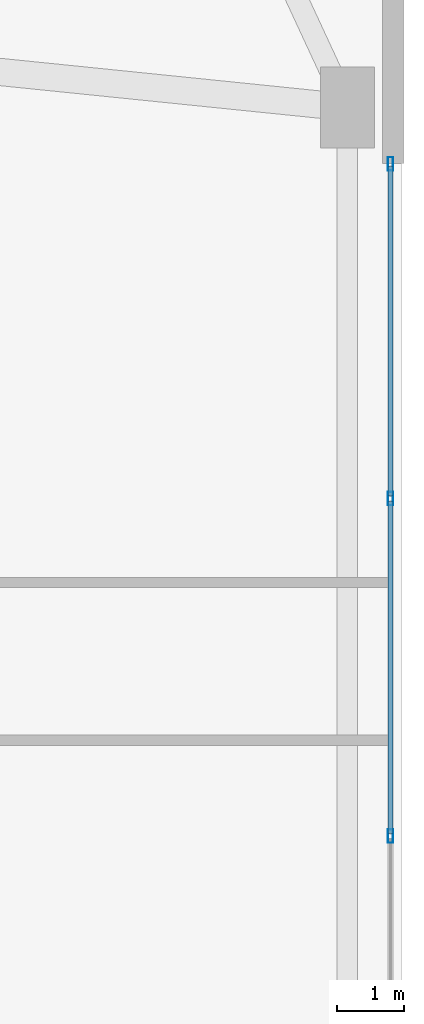
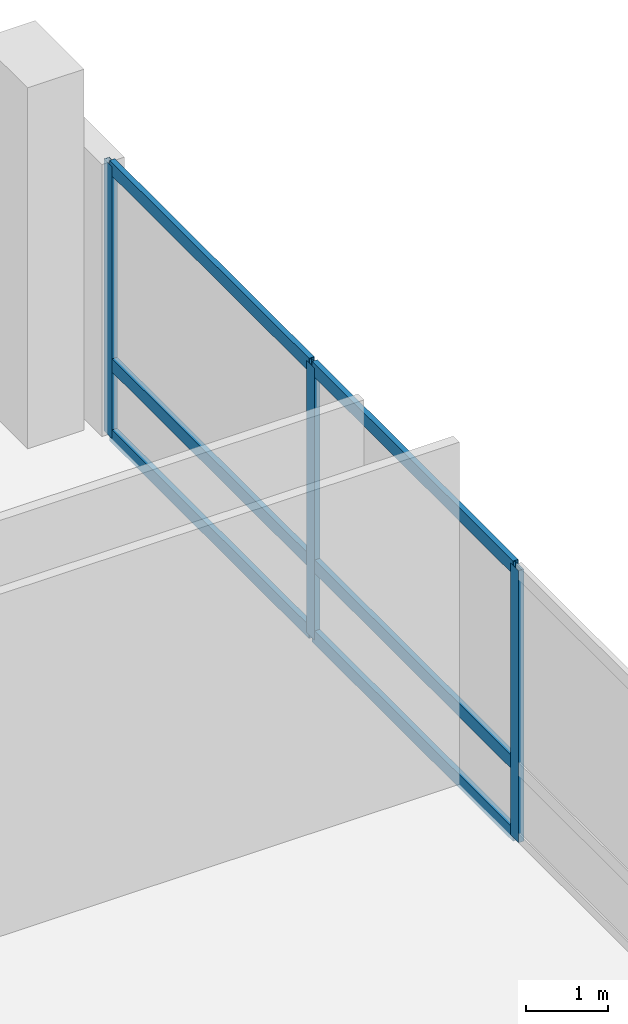
# One storey, part 21 of 36: 9 members, 1 element without a shape of its own.
"""IFC4 building model written with IfcOpenShell, lengths in metres."""

from ifc_helpers import new_model, si_unit, direction, frame, origin, origin_2d, place, context, subcontext, project, spatial, hollow_rectangle, extrude, material, layer, layer_set, material_profile, profile_set, type_object, element, aggregate, save


model = new_model("IFC4")

# Units and contexts
model_context = context("Model", 3, precision=1e-05, world=origin(), true_north=direction((0.0, 1.0)))
body_context = subcontext(model_context, "Body", "Model", "MODEL_VIEW")
ifc_project = project(units=[si_unit("LENGTHUNIT", "METRE"), si_unit("AREAUNIT", "SQUARE_METRE"), si_unit("VOLUMEUNIT", "CUBIC_METRE"), si_unit("PLANEANGLEUNIT", "RADIAN"), si_unit("MASSUNIT", "GRAM", prefix="KILO")], contexts=[model_context])

# Site, building, storey
site_placement = place(None, origin())
site = spatial("IfcSite", under=ifc_project, at=site_placement, CompositionType="ELEMENT")
building_placement = place(site_placement, origin())
building = spatial("IfcBuilding", under=site, at=building_placement, Name="Varnelok Gate Tower", CompositionType="ELEMENT")
storey_placement = place(building_placement, frame((0.0, 0.0, 10.800048828125)))
storey = spatial("IfcBuildingStorey", under=building, at=storey_placement, Name="L02", CompositionType="ELEMENT", Elevation=10.800048828125)

# Curtain wall, members
ifc_material = material(Name="Anodized Aluminum Alloy 6063-T6", Category="aluminium")
ifc_layer = layer(ifc_material, 0.179931640625)
ifc_layer_set = layer_set([ifc_layer], Name="Anodized Aluminum Alloy 6063-T6")
curtain_wall_type = type_object("IfcCurtainWallType", Name="CW1-ARCH-PORTAL", PredefinedType="USERDEFINED", material=ifc_layer_set)
curtain_wall_placement = place(storey_placement, origin())
curtain_wall = element("IfcCurtainWall", 1, at=curtain_wall_placement, inside=storey, type_object=curtain_wall_type, Name="L02 Podium Portal Curtain Wall E", ObjectType="UNITISED CURTAIN WALL", PredefinedType="USERDEFINED")
ifc_material_profile_1 = material_profile(ifc_material, hollow_rectangle(XDim=0.074951171875, YDim=0.199951171875, WallThickness=0.00390625, at=origin_2d()), Name="ALU200X75X4")
ifc_profile_set_1 = profile_set([ifc_material_profile_1], Name="Anodized Aluminum Alloy 6063-T6")
member_type_1 = type_object("IfcMemberType", Name="CW-MULL-200", PredefinedType="MULLION", material=ifc_profile_set_1)
member_1_placement = place(storey_placement, frame((78.239990234375, 35.16259765625, 0.0), z_axis=(0.0, 0.0, 1.0), x_axis=(1.0, 0.0, 0.0)))
member_1 = element("IfcMember", 2, at=member_1_placement, type_object=member_type_1, Name="CW1 mullion 1", PredefinedType="MULLION", context=body_context, shape_type="SweptSolid", body=[
    extrude(hollow_rectangle(XDim=0.074951171875, YDim=0.199951171875, WallThickness=0.00390625, at=origin_2d()), origin(), (0.0, 0.0, 1.0), 4.070068359375),
])
member_2_placement = place(storey_placement, frame((78.239990234375, 30.199951171875, 0.0), z_axis=(0.0, 0.0, 1.0), x_axis=(1.0, 0.0, 0.0)))
member_2 = element("IfcMember", 3, at=member_2_placement, type_object=member_type_1, Name="CW1 mullion 2", PredefinedType="MULLION", context=body_context, shape_type="SweptSolid", body=[
    extrude(hollow_rectangle(XDim=0.074951171875, YDim=0.199951171875, WallThickness=0.00390625, at=origin_2d()), origin(), (0.0, 0.0, 1.0), 4.070068359375),
])
member_3_placement = place(storey_placement, frame((78.239990234375, 25.199951171875, 0.0), z_axis=(0.0, 0.0, 1.0), x_axis=(1.0, 0.0, 0.0)))
member_3 = element("IfcMember", 4, at=member_3_placement, type_object=member_type_1, Name="CW1 mullion 3", PredefinedType="MULLION", context=body_context, shape_type="SweptSolid", body=[
    extrude(hollow_rectangle(XDim=0.074951171875, YDim=0.199951171875, WallThickness=0.00390625, at=origin_2d()), origin(), (0.0, 0.0, 1.0), 4.070068359375),
])
ifc_material_profile_2 = material_profile(ifc_material, hollow_rectangle(XDim=0.074951171875, YDim=0.199951171875, WallThickness=0.00390625, at=origin_2d()), Name="ALU200X75X4")
ifc_profile_set_2 = profile_set([ifc_material_profile_2], Name="Anodized Aluminum Alloy 6063-T6")
member_type_2 = type_object("IfcMemberType", Name="CW-TRAN-200", PredefinedType="USERDEFINED", material=ifc_profile_set_2)
member_4_placement = place(storey_placement, frame((78.239990234375, 35.125, 0.037353515625), z_axis=(0.0, -1.0, 0.0), x_axis=(1.0, 0.0, 0.0)))
member_4 = element("IfcMember", 5, at=member_4_placement, type_object=member_type_2, Name="CW1 transom 1.1", ObjectType="TRANSOM", PredefinedType="USERDEFINED", context=body_context, shape_type="SweptSolid", body=[
    extrude(hollow_rectangle(XDim=0.074951171875, YDim=0.199951171875, WallThickness=0.00390625, at=origin_2d()), origin(), (0.0, 0.0, 1.0), 4.887451171875),
])
member_5_placement = place(storey_placement, frame((78.239990234375, 35.125, 1.099853515625), z_axis=(0.0, -1.0, 0.0), x_axis=(1.0, 0.0, 0.0)))
member_5 = element("IfcMember", 6, at=member_5_placement, type_object=member_type_2, Name="CW1 transom 1.2", ObjectType="TRANSOM", PredefinedType="USERDEFINED", context=body_context, shape_type="SweptSolid", body=[
    extrude(hollow_rectangle(XDim=0.074951171875, YDim=0.199951171875, WallThickness=0.00390625, at=origin_2d()), origin(), (0.0, 0.0, 1.0), 4.887451171875),
])
member_6_placement = place(storey_placement, frame((78.239990234375, 35.125, 4.032470703125), z_axis=(0.0, -1.0, 0.0), x_axis=(1.0, 0.0, 0.0)))
member_6 = element("IfcMember", 7, at=member_6_placement, type_object=member_type_2, Name="CW1 transom 1.3", ObjectType="TRANSOM", PredefinedType="USERDEFINED", context=body_context, shape_type="SweptSolid", body=[
    extrude(hollow_rectangle(XDim=0.074951171875, YDim=0.199951171875, WallThickness=0.00390625, at=origin_2d()), origin(), (0.0, 0.0, 1.0), 4.887451171875),
])
member_7_placement = place(storey_placement, frame((78.239990234375, 30.16259765625, 0.037353515625), z_axis=(0.0, -1.0, 0.0), x_axis=(1.0, 0.0, 0.0)))
member_7 = element("IfcMember", 8, at=member_7_placement, type_object=member_type_2, Name="CW1 transom 2.1", ObjectType="TRANSOM", PredefinedType="USERDEFINED", context=body_context, shape_type="SweptSolid", body=[
    extrude(hollow_rectangle(XDim=0.074951171875, YDim=0.199951171875, WallThickness=0.00390625, at=origin_2d()), origin(), (0.0, 0.0, 1.0), 4.925048828125),
])
member_8_placement = place(storey_placement, frame((78.239990234375, 30.16259765625, 1.099853515625), z_axis=(0.0, -1.0, 0.0), x_axis=(1.0, 0.0, 0.0)))
member_8 = element("IfcMember", 9, at=member_8_placement, type_object=member_type_2, Name="CW1 transom 2.2", ObjectType="TRANSOM", PredefinedType="USERDEFINED", context=body_context, shape_type="SweptSolid", body=[
    extrude(hollow_rectangle(XDim=0.074951171875, YDim=0.199951171875, WallThickness=0.00390625, at=origin_2d()), origin(), (0.0, 0.0, 1.0), 4.925048828125),
])
member_9_placement = place(storey_placement, frame((78.239990234375, 30.16259765625, 4.032470703125), z_axis=(0.0, -1.0, 0.0), x_axis=(1.0, 0.0, 0.0)))
member_9 = element("IfcMember", 10, at=member_9_placement, type_object=member_type_2, Name="CW1 transom 2.3", ObjectType="TRANSOM", PredefinedType="USERDEFINED", context=body_context, shape_type="SweptSolid", body=[
    extrude(hollow_rectangle(XDim=0.074951171875, YDim=0.199951171875, WallThickness=0.00390625, at=origin_2d()), origin(), (0.0, 0.0, 1.0), 4.925048828125),
])
aggregate(curtain_wall, [member_1, member_2, member_3, member_4, member_5, member_6, member_7, member_8, member_9])

save(model, "model.ifc")
